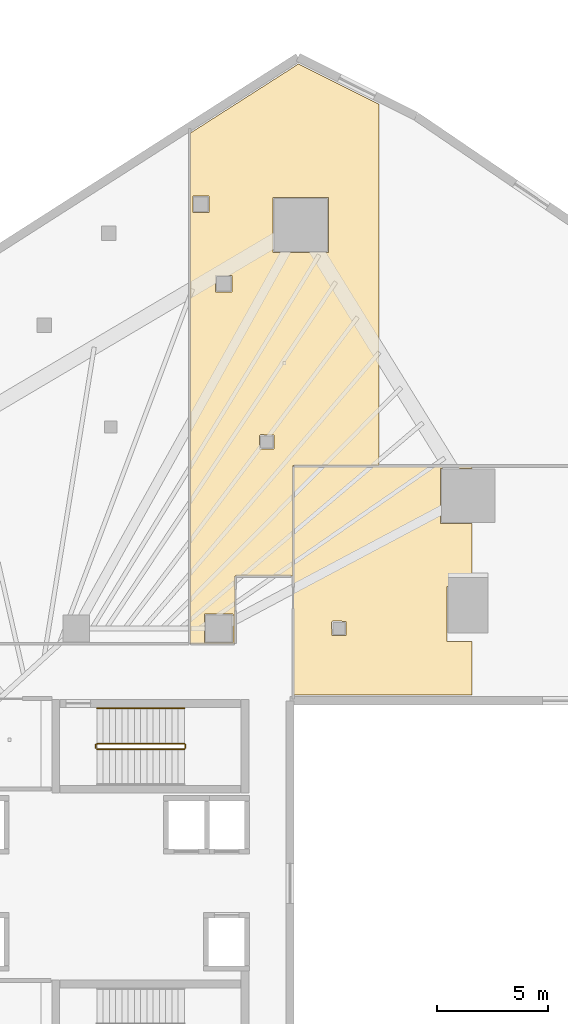
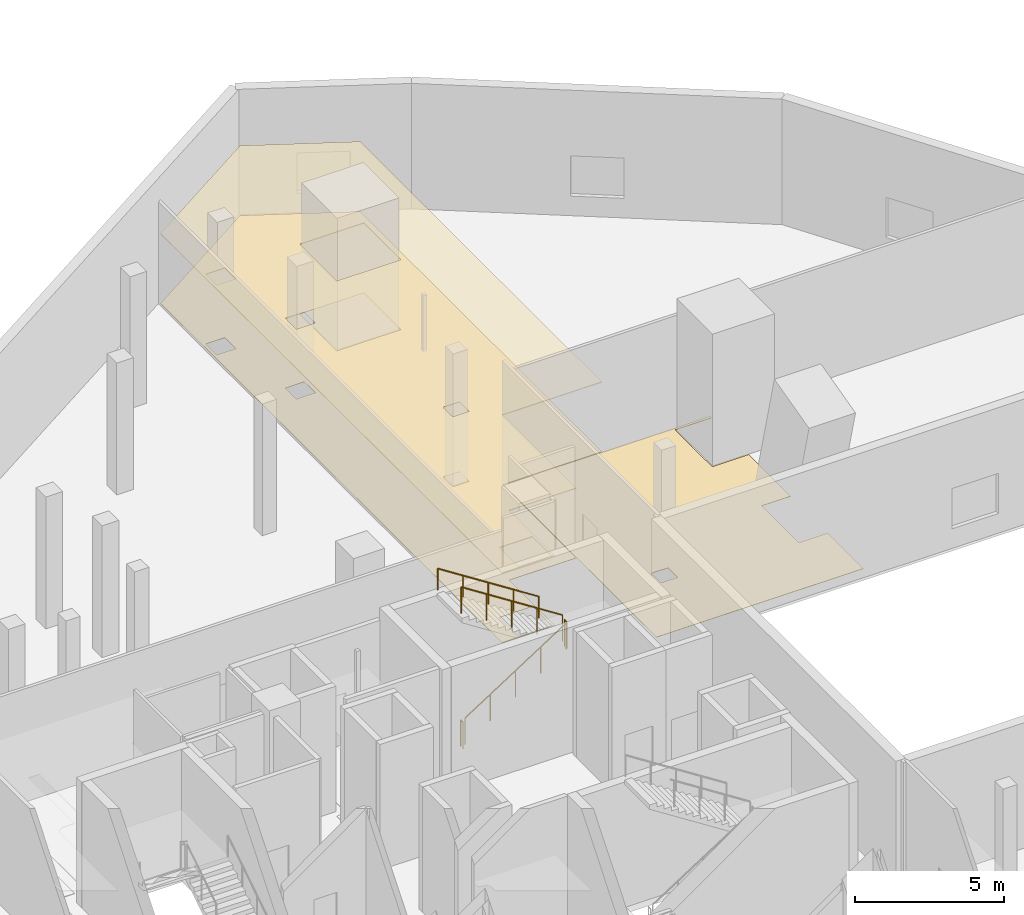
# One storey, part 44 of 47: 5 railings, 3 coverings.
"""IFC4 building model written with IfcOpenShell, lengths in metres."""

from ifc_helpers import new_model, si_unit, direction, frame, origin, origin_2d, place, context, subcontext, project, spatial, polyline, circle, outline, extrude, material, layer, layer_set, type_object, element, save


model = new_model("IFC4")

# Units and contexts
model_context = context("Model", 3, precision=1e-05, world=origin(), true_north=direction((0.0, 1.0)))
body_context = subcontext(model_context, "Body", "Model", "MODEL_VIEW")
ifc_project = project(units=[si_unit("LENGTHUNIT", "METRE"), si_unit("AREAUNIT", "SQUARE_METRE"), si_unit("VOLUMEUNIT", "CUBIC_METRE"), si_unit("PLANEANGLEUNIT", "RADIAN"), si_unit("MASSUNIT", "GRAM", prefix="KILO")], contexts=[model_context])

# Site, building, storey
site_placement = place(None, origin())
site = spatial("IfcSite", under=ifc_project, at=site_placement, CompositionType="ELEMENT")
building_placement = place(site_placement, origin())
building = spatial("IfcBuilding", under=site, at=building_placement, Name="Qorvath Tower", CompositionType="ELEMENT")
storey_placement = place(building_placement, frame((0.0, 0.0, 6.60009765625)))
storey = spatial("IfcBuildingStorey", under=building, at=storey_placement, Name="L01", CompositionType="ELEMENT", Elevation=6.60009765625)

# Coverings
ifc_material_1 = material(Name="Acoustic mineral fibre ceiling tile", Category="gypsum")
ifc_layer_1 = layer(ifc_material_1, 0.030029296875)
ifc_layer_set_1 = layer_set([ifc_layer_1], Name="COV-CEIL")
covering_type_1 = type_object("IfcCoveringType", Name="COV-CEIL", PredefinedType="CEILING", material=ifc_layer_set_1)
covering_1_placement = place(storey_placement, frame((0.0, 0.0, 2.849853515625)))
element("IfcCovering", 1, at=covering_1_placement, inside=storey, type_object=covering_type_1, Name="L01 Suspended Acoustic Ceiling 009", PredefinedType="CEILING", context=body_context, shape_type="SweptSolid", body=[
    extrude(outline(polyline([(-10.009765625, 18.762939453125), (-10.009765625, 34.99658203125), (-13.619873046875, 36.801513671875), (-18.4951171875, 33.685791015625), (-18.4951171875, 10.762939453125), (-16.462890625, 10.762939453125), (-16.46142578125, 13.8115234375), (-13.863037109375, 13.81298828125), (-13.85791015625, 18.762939453125), (-10.009765625, 18.762939453125)]), holes=[polyline([(-14.762451171875, 30.810546875), (-12.277587890625, 30.810546875), (-12.277587890625, 28.32568359375), (-14.762451171875, 28.32568359375), (-14.762451171875, 30.810546875)]), polyline([(-15.381103515625, 20.093017578125), (-15.321044921875, 20.153076171875), (-14.728759765625, 20.135498046875), (-14.728759765625, 19.500732421875), (-15.363525390625, 19.500732421875), (-15.381103515625, 20.093017578125)]), polyline([(-17.842529296875, 12.092529296875), (-16.5576171875, 12.092529296875), (-16.5576171875, 10.8076171875), (-17.842529296875, 10.8076171875), (-17.842529296875, 12.092529296875)]), polyline([(-17.3486328125, 27.296630859375), (-16.61376953125, 27.296630859375), (-16.61376953125, 26.561767578125), (-17.3486328125, 26.561767578125), (-17.3486328125, 27.296630859375)]), polyline([(-18.367431640625, 30.867431640625), (-17.632568359375, 30.867431640625), (-17.632568359375, 30.132568359375), (-18.367431640625, 30.132568359375), (-18.367431640625, 30.867431640625)])]), origin(), (0.0, 0.0, 1.0), 0.030029296875),
])
ifc_material_2 = material(Name="Low-VOC modular carpet tile", Category="textile")
ifc_layer_2 = layer(ifc_material_2, 0.014892578125)
ifc_layer_set_2 = layer_set([ifc_layer_2], Name="COV-FLOOR-CPT")
covering_type_2 = type_object("IfcCoveringType", Name="COV-FLOOR-CPT", PredefinedType="FLOORING", material=ifc_layer_set_2)
covering_2_placement = place(storey_placement, origin())
element("IfcCovering", 2, at=covering_2_placement, inside=storey, type_object=covering_type_2, Name="L01 Floor Finish 008", PredefinedType="FLOORING", context=body_context, shape_type="SweptSolid", body=[
    extrude(outline(polyline([(-5.83056640625, 8.455078125), (-5.83056640625, 10.857421875), (-6.9423828125, 10.857421875), (-6.9423828125, 13.34228515625), (-5.83056640625, 13.34228515625), (-5.83056640625, 16.157470703125), (-7.242431640625, 16.157470703125), (-7.242431640625, 18.642333984375), (-5.83056640625, 18.642333984375), (-5.83056640625, 18.7451171875), (-13.844970703125, 18.7451171875), (-13.844970703125, 8.455078125), (-5.83056640625, 8.455078125)]), holes=[polyline([(-12.135009765625, 11.72509765625), (-12.074951171875, 11.784912109375), (-11.482666015625, 11.767333984375), (-11.482666015625, 11.132568359375), (-12.117431640625, 11.132568359375), (-12.135009765625, 11.72509765625)])]), origin(), (0.0, 0.0, 1.0), 0.014892578125),
])
covering_3_placement = place(storey_placement, origin())
element("IfcCovering", 3, at=covering_3_placement, inside=storey, type_object=covering_type_2, Name="L01 Floor Finish 009", PredefinedType="FLOORING", context=body_context, shape_type="SweptSolid", body=[
    extrude(outline(polyline([(-10.009765625, 18.762939453125), (-10.009765625, 34.99658203125), (-13.619873046875, 36.801513671875), (-18.4951171875, 33.685791015625), (-18.4951171875, 10.762939453125), (-16.462890625, 10.762939453125), (-16.46142578125, 13.8115234375), (-13.863037109375, 13.81298828125), (-13.85791015625, 18.762939453125), (-10.009765625, 18.762939453125)]), holes=[polyline([(-14.762451171875, 30.810546875), (-12.277587890625, 30.810546875), (-12.277587890625, 28.32568359375), (-14.762451171875, 28.32568359375), (-14.762451171875, 30.810546875)]), polyline([(-15.381103515625, 20.093017578125), (-15.321044921875, 20.153076171875), (-14.728759765625, 20.135498046875), (-14.728759765625, 19.500732421875), (-15.363525390625, 19.500732421875), (-15.381103515625, 20.093017578125)]), polyline([(-17.842529296875, 12.092529296875), (-16.5576171875, 12.092529296875), (-16.5576171875, 10.8076171875), (-17.842529296875, 10.8076171875), (-17.842529296875, 12.092529296875)]), polyline([(-17.3486328125, 27.296630859375), (-16.61376953125, 27.296630859375), (-16.61376953125, 26.561767578125), (-17.3486328125, 26.561767578125), (-17.3486328125, 27.296630859375)]), polyline([(-18.367431640625, 30.867431640625), (-17.632568359375, 30.867431640625), (-17.632568359375, 30.132568359375), (-18.367431640625, 30.132568359375), (-18.367431640625, 30.867431640625)])]), origin(), (0.0, 0.0, 1.0), 0.014892578125),
])

# Railings
ifc_material_3 = material(Name="Painted galvanised steel", Category="steel")
railing_type_1 = type_object("IfcRailingType", Name="RL-STR-GRD", PredefinedType="GUARDRAIL", material=ifc_material_3)
railing_1_placement = place(storey_placement, frame((-22.669921875, 6.030029296875, 0.179931640625)))
element("IfcRailing", 4, at=railing_1_placement, inside=storey, type_object=railing_type_1, Name="L01 TS1 stair guard 1", PredefinedType="GUARDRAIL", context=body_context, shape_type="SweptSolid", body=[
    extrude(circle(Radius=0.02392578125, at=origin_2d()), frame((0.0, 0.0, 1.076171875), z_axis=(0.841171666519, 0.0, 0.540768182723), x_axis=(0.0, 1.0, 0.0)), (0.0, 0.0, 1.0), 4.66015625),
    extrude(circle(Radius=0.02099609375, at=origin_2d()), origin(), (0.0, 0.0, 1.0), 1.052001953125),
    extrude(circle(Radius=0.02099609375, at=origin_2d()), frame((0.97998046875, 0.0, 0.6298828125)), (0.0, 0.0, 1.0), 1.052001953125),
    extrude(circle(Radius=0.02099609375, at=origin_2d()), frame((1.9599609375, 0.0, 1.260009765625)), (0.0, 0.0, 1.0), 1.052001953125),
    extrude(circle(Radius=0.02099609375, at=origin_2d()), frame((2.93994140625, 0.0, 1.89013671875)), (0.0, 0.0, 1.0), 1.052001953125),
    extrude(circle(Radius=0.02099609375, at=origin_2d()), frame((3.919921875, 0.0, 2.52001953125)), (0.0, 0.0, 1.0), 1.052001953125),
])
railing_2_placement = place(storey_placement, frame((-18.699951171875, 6.080078125, 2.699951171875)))
element("IfcRailing", 5, at=railing_2_placement, inside=storey, type_object=railing_type_1, Name="L01 TS1 stair guard 2", PredefinedType="GUARDRAIL", context=body_context, shape_type="SweptSolid", body=[
    extrude(circle(Radius=0.02392578125, at=origin_2d()), frame((0.0, 0.0, 1.076171875), z_axis=(0.0, 1.0, 0.0), x_axis=(-1.0, 0.0, 0.0)), (0.0, 0.0, 1.0), 0.14990234375),
    extrude(circle(Radius=0.02099609375, at=origin_2d()), origin(), (0.0, 0.0, 1.0), 1.052001953125),
    extrude(circle(Radius=0.02099609375, at=origin_2d()), frame((0.0, 0.14990234375, 0.0)), (0.0, 0.0, 1.0), 1.052001953125),
])
railing_3_placement = place(storey_placement, frame((-18.75, 6.280029296875, 2.8798828125)))
element("IfcRailing", 6, at=railing_3_placement, inside=storey, type_object=railing_type_1, Name="L01 TS1 stair guard 3", PredefinedType="GUARDRAIL", context=body_context, shape_type="SweptSolid", body=[
    extrude(circle(Radius=0.02392578125, at=origin_2d()), frame((0.0, 0.0, 1.076171875), z_axis=(-0.841171666519, 0.0, 0.540768182723), x_axis=(0.0, -1.0, 0.0)), (0.0, 0.0, 1.0), 4.66015625),
    extrude(circle(Radius=0.02099609375, at=origin_2d()), origin(), (0.0, 0.0, 1.0), 1.052001953125),
    extrude(circle(Radius=0.02099609375, at=origin_2d()), frame((-0.97998046875, 0.0, 0.6298828125)), (0.0, 0.0, 1.0), 1.052001953125),
    extrude(circle(Radius=0.02099609375, at=origin_2d()), frame((-1.9599609375, 0.0, 1.260009765625)), (0.0, 0.0, 1.0), 1.052001953125),
    extrude(circle(Radius=0.02099609375, at=origin_2d()), frame((-2.93994140625, 0.0, 1.89013671875)), (0.0, 0.0, 1.0), 1.052001953125),
    extrude(circle(Radius=0.02099609375, at=origin_2d()), frame((-3.919921875, 0.0, 2.52001953125)), (0.0, 0.0, 1.0), 1.052001953125),
])
railing_4_placement = place(storey_placement, frame((-22.719970703125, 6.080078125, 0.0)))
element("IfcRailing", 7, at=railing_4_placement, inside=storey, type_object=railing_type_1, Name="L01 TS1 stair guard 4", PredefinedType="GUARDRAIL", context=body_context, shape_type="SweptSolid", body=[
    extrude(circle(Radius=0.02392578125, at=origin_2d()), frame((0.0, 0.0, 1.076171875), z_axis=(0.0, 1.0, 0.0), x_axis=(-1.0, 0.0, 0.0)), (0.0, 0.0, 1.0), 0.14990234375),
    extrude(circle(Radius=0.02099609375, at=origin_2d()), origin(), (0.0, 0.0, 1.0), 1.052001953125),
    extrude(circle(Radius=0.02099609375, at=origin_2d()), frame((0.0, 0.14990234375, 0.0)), (0.0, 0.0, 1.0), 1.052001953125),
])
ifc_material_4 = material(Name="Brushed stainless steel AISI 304", Category="steel")
railing_type_2 = type_object("IfcRailingType", Name="RL-STR-HND", PredefinedType="HANDRAIL", material=ifc_material_4)
railing_5_placement = place(storey_placement, frame((-18.75, 7.860107421875, 2.8798828125)))
element("IfcRailing", 8, at=railing_5_placement, inside=storey, type_object=railing_type_2, Name="L01 TS1 stair handrail 2", PredefinedType="HANDRAIL", context=body_context, shape_type="SweptSolid", body=[
    extrude(circle(Radius=0.02392578125, at=origin_2d()), frame((0.0, 0.0, 0.8759765625), z_axis=(-0.841171666519, 0.0, 0.540768182723), x_axis=(0.0, -1.0, 0.0)), (0.0, 0.0, 1.0), 4.66015625),
    extrude(circle(Radius=0.02099609375, at=origin_2d()), origin(), (0.0, 0.0, 1.0), 0.851806640625),
    extrude(circle(Radius=0.02099609375, at=origin_2d()), frame((-0.97998046875, 0.0, 0.6298828125)), (0.0, 0.0, 1.0), 0.851806640625),
    extrude(circle(Radius=0.02099609375, at=origin_2d()), frame((-1.9599609375, 0.0, 1.260009765625)), (0.0, 0.0, 1.0), 0.851806640625),
    extrude(circle(Radius=0.02099609375, at=origin_2d()), frame((-2.93994140625, 0.0, 1.89013671875)), (0.0, 0.0, 1.0), 0.851806640625),
    extrude(circle(Radius=0.02099609375, at=origin_2d()), frame((-3.919921875, 0.0, 2.52001953125)), (0.0, 0.0, 1.0), 0.851806640625),
])

save(model, "model.ifc")
